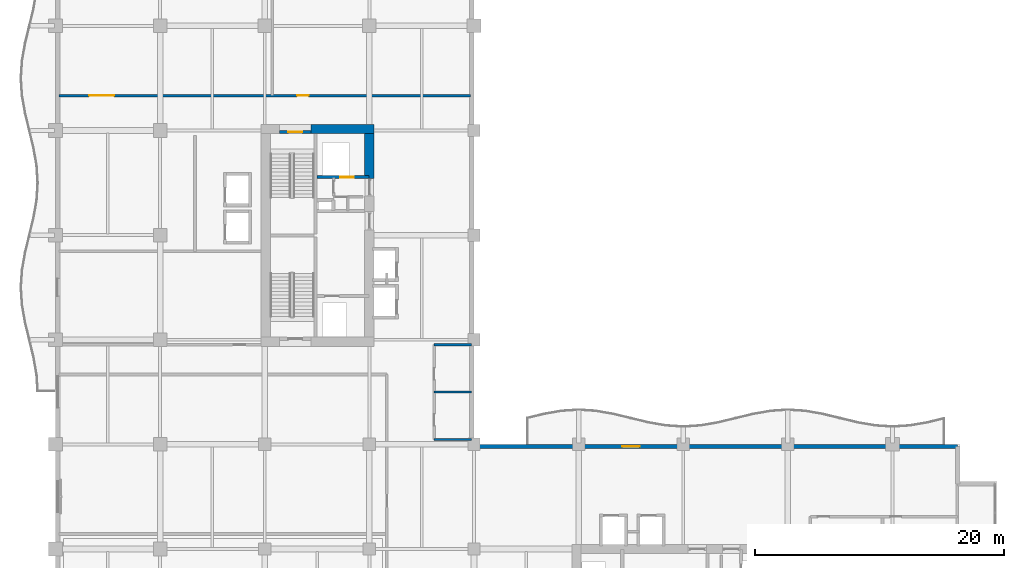
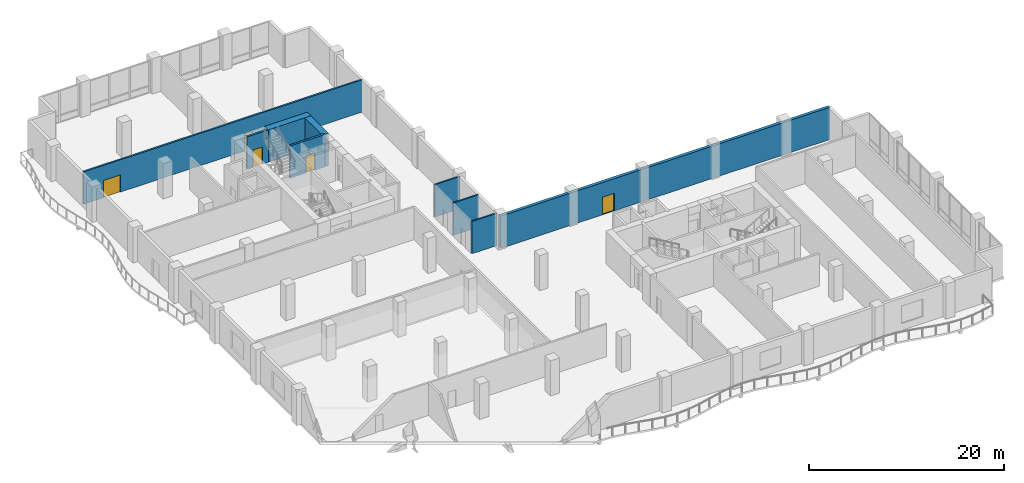
# One storey, part 17 of 25: 9 walls, 5 doors, 5 openings.
"""IFC4 building model written with IfcOpenShell, lengths in metres."""

from ifc_helpers import new_model, si_unit, direction, frame, frame_2d, origin, place, context, subcontext, project, spatial, rectangle, extrude, material, layer, layer_set, type_object, element, fill, save


model = new_model("IFC4")

# Units and contexts
model_context = context("Model", 3, precision=1e-05, world=origin(), true_north=direction((0.0, 1.0)))
body_context = subcontext(model_context, "Body", "Model", "MODEL_VIEW")
ifc_project = project(units=[si_unit("LENGTHUNIT", "METRE"), si_unit("AREAUNIT", "SQUARE_METRE"), si_unit("VOLUMEUNIT", "CUBIC_METRE"), si_unit("PLANEANGLEUNIT", "RADIAN"), si_unit("MASSUNIT", "GRAM", prefix="KILO")], contexts=[model_context])

# Site, building, storey
site_placement = place(None, origin())
site = spatial("IfcSite", under=ifc_project, at=site_placement, CompositionType="ELEMENT")
building_placement = place(site_placement, origin())
building = spatial("IfcBuilding", under=site, at=building_placement, Name="Koriwani Terraces Tower", CompositionType="ELEMENT")
storey_placement = place(building_placement, frame((0.0, 0.0, 157.60009765625)))
storey = spatial("IfcBuildingStorey", under=building, at=storey_placement, Name="L38", CompositionType="ELEMENT", Elevation=157.60009765625)

# Walls
ifc_material_1 = material(Name="Concrete C60/75", Category="concrete")
ifc_layer_1 = layer(ifc_material_1, 0.75, Name="Concrete C60/75")
ifc_layer_set_1 = layer_set([ifc_layer_1], Name="Concrete C60/75")
wall_type_1 = type_object("IfcWallType", Name="WALL_CORE_RC_750", PredefinedType="SHEAR", material=ifc_layer_set_1)
wall_1_placement = place(storey_placement, frame((20.5, 58.925048828125, 0.0), z_axis=(0.0, 0.0, 1.0), x_axis=(1.0, 0.0, 0.0)))
element("IfcWall", 1, at=wall_1_placement, inside=storey, type_object=wall_type_1, Name="L38 West Split Core Shear Wall N2", PredefinedType="SHEAR", context=body_context, shape_type="SweptSolid", body=[
    extrude(rectangle(XDim=5.074951171875, YDim=0.75, at=frame_2d((2.53759765625, 0.0))), origin(), (0.0, 0.0, 1.0), 4.0498046875),
])
wall_2_placement = place(storey_placement, frame((25.199951171875, 54.949951171875, 0.0), z_axis=(0.0, 0.0, 1.0), x_axis=(0.0, 1.0, 0.0)))
element("IfcWall", 2, at=wall_2_placement, inside=storey, type_object=wall_type_1, Name="L38 West Split Core Shear Wall E3", PredefinedType="SHEAR", context=body_context, shape_type="SweptSolid", body=[
    extrude(rectangle(XDim=3.60009765625, YDim=0.75, at=frame_2d((1.800048828125, 0.0))), origin(), (0.0, 0.0, 1.0), 4.0498046875),
])

# Wall, openings, doors
ifc_material_2 = material(Name="Autoclaved Cellular Concrete Blockwork", Category="masonry")
ifc_layer_2 = layer(ifc_material_2, 0.199951171875, Name="Autoclaved Cellular Concrete Blockwork")
ifc_layer_set_2 = layer_set([ifc_layer_2], Name="Autoclaved Cellular Concrete Blockwork")
wall_type_2 = type_object("IfcWallType", Name="WALL_CORRIDOR_200", PredefinedType="PARTITIONING", material=ifc_layer_set_2)
wall_3_placement = place(storey_placement, frame((0.300048828125, 61.60009765625, 0.0), z_axis=(0.0, 0.0, 1.0), x_axis=(1.0, 0.0, 0.0)))
wall_3 = element("IfcWall", 3, at=wall_3_placement, inside=storey, type_object=wall_type_2, Name="L38 Interior Wall WSKY-N1-L38", PredefinedType="PARTITIONING", context=body_context, shape_type="SweptSolid", body=[
    extrude(rectangle(XDim=33.0, YDim=0.199951171875, at=frame_2d((16.5, 0.0))), origin(), (0.0, 0.0, 1.0), 4.0498046875),
])
opening_1_placement = place(wall_3_placement, frame((2.39990234375, 0.0, 0.0)))
opening_1 = element("IfcOpeningElement", 4, at=opening_1_placement, cuts=wall_3, Name="Opening D-02", PredefinedType="OPENING", context=body_context, shape_type="SweptSolid", body=[
    extrude(rectangle(XDim=2.0, YDim=2.14990234375, at=frame_2d((1.0, 1.074951171875))), frame((0.0, 0.10986328125, 0.0), z_axis=(0.0, -1.0, 0.0), x_axis=(1.0, 0.0, 0.0)), (0.0, 0.0, 1.0), 0.219970703125),
])
opening_2_placement = place(wall_3_placement, frame((19.10009765625, 0.0, 0.0)))
opening_2 = element("IfcOpeningElement", 5, at=opening_2_placement, cuts=wall_3, Name="Opening D-06", PredefinedType="OPENING", context=body_context, shape_type="SweptSolid", body=[
    extrude(rectangle(XDim=0.919921875, YDim=2.10009765625, at=frame_2d((0.4599609375, 1.050048828125))), frame((0.0, 0.10986328125, 0.0), z_axis=(0.0, -1.0, 0.0), x_axis=(1.0, 0.0, 0.0)), (0.0, 0.0, 1.0), 0.219970703125),
])
ifc_material_3 = material(Name="Anodised Bronze Aluminium", Category="aluminium")
door_type_1 = type_object("IfcDoorType", Name="DOOR_ENTRANCE_DOUBLE_2000X2400", OperationType="NOTDEFINED", PredefinedType="DOOR", material=ifc_material_3)
door_1_placement = place(opening_1_placement, origin())
door_1 = element("IfcDoor", 6, at=door_1_placement, inside=storey, type_object=door_type_1, Name="L38 North Wellness Studio Door", OperationType="SINGLE_SWING_RIGHT", OverallHeight=2.14990234375, OverallWidth=2.0, PredefinedType="DOOR", context=body_context, shape_type="SweptSolid", body=[
    extrude(rectangle(XDim=2.0, YDim=2.14990234375, at=frame_2d((1.0, 1.074951171875))), frame((0.0, 0.02490234375, 0.0), z_axis=(0.0, -1.0, 0.0), x_axis=(1.0, 0.0, 0.0)), (0.0, 0.0, 1.0), 0.050048828125),
])
fill(opening_1, door_1)
ifc_material_4 = material(Name="Architectural Oak Fire Door", Category="wood")
door_type_2 = type_object("IfcDoorType", Name="DOOR_ROOM_INT_920X2100", OperationType="NOTDEFINED", PredefinedType="DOOR", material=ifc_material_4)
door_2_placement = place(opening_2_placement, origin())
door_2 = element("IfcDoor", 7, at=door_2_placement, inside=storey, type_object=door_type_2, Name="L38 North Observatory Salon Door", OperationType="SINGLE_SWING_LEFT", OverallHeight=2.10009765625, OverallWidth=0.919921875, PredefinedType="DOOR", context=body_context, shape_type="SweptSolid", body=[
    extrude(rectangle(XDim=0.919921875, YDim=2.10009765625, at=frame_2d((0.4599609375, 1.050048828125))), frame((0.0, 0.02490234375, 0.0), z_axis=(0.0, -1.0, 0.0), x_axis=(1.0, 0.0, 0.0)), (0.0, 0.0, 1.0), 0.050048828125),
])
fill(opening_2, door_2)

# Wall, opening, door
ifc_material_5 = material(Name="Concrete C50/60", Category="concrete")
ifc_layer_3 = layer(ifc_material_5, 0.35009765625, Name="Concrete C50/60")
ifc_layer_set_3 = layer_set([ifc_layer_3], Name="Concrete C50/60")
wall_type_3 = type_object("IfcWallType", Name="WALL_EXT_BRUTALIST_350", PredefinedType="STANDARD", material=ifc_layer_set_3)
wall_4_placement = place(storey_placement, frame((33.425048828125, 33.425048828125, 0.0), z_axis=(0.0, 0.0, 1.0), x_axis=(1.0, 0.0, 0.0)))
wall_4 = element("IfcWall", 8, at=wall_4_placement, inside=storey, type_object=wall_type_3, Name="L38 Fair-Faced Brutalist Exterior Wall (NE)", PredefinedType="STANDARD", context=body_context, shape_type="SweptSolid", body=[
    extrude(rectangle(XDim=39.0, YDim=0.35009765625, at=frame_2d((19.5, 0.0))), origin(), (0.0, 0.0, 1.0), 4.0498046875),
])
opening_3_placement = place(wall_4_placement, frame((12.074951171875, 0.0, 0.0)))
opening_3 = element("IfcOpeningElement", 9, at=opening_3_placement, cuts=wall_4, Name="Opening D-09", PredefinedType="OPENING", context=body_context, shape_type="SweptSolid", body=[
    extrude(rectangle(XDim=1.39990234375, YDim=2.199951171875, at=frame_2d((0.699951171875, 1.10009765625))), frame((0.0, 0.18505859375, 0.0), z_axis=(0.0, -1.0, 0.0), x_axis=(1.0, 0.0, 0.0)), (0.0, 0.0, 1.0), 0.3701171875),
])
door_type_3 = type_object("IfcDoorType", Name="DOOR_BALCONY_GLAZED_1400X2200", OperationType="NOTDEFINED", PredefinedType="DOOR", material=ifc_material_3)
door_3_placement = place(opening_3_placement, origin())
door_3 = element("IfcDoor", 10, at=door_3_placement, inside=storey, type_object=door_type_3, Name="L38 Inner Court Balcony Glazed Door", OperationType="SINGLE_SWING_LEFT", OverallHeight=2.199951171875, OverallWidth=1.39990234375, PredefinedType="DOOR", context=body_context, shape_type="SweptSolid", body=[
    extrude(rectangle(XDim=1.39990234375, YDim=2.199951171875, at=frame_2d((0.699951171875, 1.10009765625))), frame((0.0, 0.02490234375, 0.0), z_axis=(0.0, -1.0, 0.0), x_axis=(1.0, 0.0, 0.0)), (0.0, 0.0, 1.0), 0.050048828125),
])
fill(opening_3, door_3)

# Walls
ifc_material_6 = material(Name="Fire-Rated Acoustic Gypsum Partition", Category="masonry")
ifc_layer_4 = layer(ifc_material_6, 0.179931640625, Name="Fire-Rated Acoustic Gypsum Partition")
ifc_layer_set_4 = layer_set([ifc_layer_4], Name="Fire-Rated Acoustic Gypsum Partition")
wall_type_4 = type_object("IfcWallType", Name="WALL_PLUMBING_180", PredefinedType="PLUMBINGWALL", material=ifc_layer_set_4)
for number, where, z_axis, x_axis, name in (
    (11, (30.39990234375, 34.0, 0.0), (0.0, 0.0, 1.0), (1.0, 0.0, 0.0), "L38 Interior Wall WSKY-WCS-L38"),
    (12, (30.39990234375, 37.800048828125, 0.0), (0.0, 0.0, 1.0), (1.0, 0.0, 0.0), "L38 Interior Wall WSKY-WCM-L38"),
    (13, (30.39990234375, 41.60009765625, 0.0), (0.0, 0.0, 1.0), (1.0, 0.0, 0.0), "L38 Interior Wall WSKY-WCN-L38"),
):
    element("IfcWall", number, at=place(storey_placement, frame(where, z_axis=z_axis, x_axis=x_axis)), inside=storey, type_object=wall_type_4, Name=name, PredefinedType="PLUMBINGWALL", context=body_context, shape_type="SweptSolid", body=[
        extrude(rectangle(XDim=3.0, YDim=0.179931640625, at=frame_2d((1.5, 0.0))), origin(), (0.0, 0.0, 1.0), 4.0498046875),
    ])

# Wall, opening, door
ifc_material_7 = material(Name="Concrete C40/50", Category="concrete")
ifc_layer_5 = layer(ifc_material_7, 0.25, Name="Concrete C40/50")
ifc_layer_set_5 = layer_set([ifc_layer_5], Name="Concrete C40/50")
wall_type_5 = type_object("IfcWallType", Name="WALL_SHAFT_RATED_250", PredefinedType="SOLIDWALL", material=ifc_layer_set_5)
wall_5_placement = place(storey_placement, frame((18.0, 58.675048828125, 0.0), z_axis=(0.0, 0.0, 1.0), x_axis=(1.0, 0.0, 0.0)))
wall_5 = element("IfcWall", 14, at=wall_5_placement, inside=storey, type_object=wall_type_5, Name="L38 Interior Wall WIN-CW-L38-STN", PredefinedType="SOLIDWALL", context=body_context, shape_type="SweptSolid", body=[
    extrude(rectangle(XDim=2.5, YDim=0.25, at=frame_2d((1.25, 0.0))), origin(), (0.0, 0.0, 1.0), 4.0498046875),
])
opening_4_placement = place(wall_5_placement, frame((0.699951171875, 0.0, 0.0)))
opening_4 = element("IfcOpeningElement", 15, at=opening_4_placement, cuts=wall_5, Name="Opening D-03", PredefinedType="OPENING", context=body_context, shape_type="SweptSolid", body=[
    extrude(rectangle(XDim=1.10009765625, YDim=2.14990234375, at=frame_2d((0.550048828125, 1.074951171875))), frame((0.0, 0.135009765625, 0.0), z_axis=(0.0, -1.0, 0.0), x_axis=(1.0, 0.0, 0.0)), (0.0, 0.0, 1.0), 0.27001953125),
])
ifc_material_8 = material(Name="Steel ASTM A572 Grade 50", Category="steel")
door_type_4 = type_object("IfcDoorType", Name="DOOR_STAIR_FIRE_1100X2150", OperationType="NOTDEFINED", PredefinedType="DOOR", material=ifc_material_8)
door_4_placement = place(opening_4_placement, origin())
door_4 = element("IfcDoor", 16, at=door_4_placement, inside=storey, type_object=door_type_4, Name="L38 Exit Stair ST-W2 Door", OperationType="SINGLE_SWING_LEFT", OverallHeight=2.14990234375, OverallWidth=1.10009765625, PredefinedType="DOOR", context=body_context, shape_type="SweptSolid", body=[
    extrude(rectangle(XDim=1.10009765625, YDim=2.14990234375, at=frame_2d((0.550048828125, 1.074951171875))), frame((0.0, 0.02490234375, 0.0), z_axis=(0.0, -1.0, 0.0), x_axis=(1.0, 0.0, 0.0)), (0.0, 0.0, 1.0), 0.050048828125),
])
fill(opening_4, door_4)

wall_6_placement = place(storey_placement, frame((21.0, 55.050048828125, 0.0), z_axis=(0.0, 0.0, 1.0), x_axis=(1.0, 0.0, 0.0)))
wall_6 = element("IfcWall", 17, at=wall_6_placement, inside=storey, type_object=wall_type_5, Name="L38 Interior Wall WIN-CW-L38-SE", PredefinedType="SOLIDWALL", context=body_context, shape_type="SweptSolid", body=[
    extrude(rectangle(XDim=4.14990234375, YDim=0.25, at=frame_2d((2.074951171875, 0.0))), origin(), (0.0, 0.0, 1.0), 4.0498046875),
])
opening_5_placement = place(wall_6_placement, frame((1.85009765625, 0.0, 0.0)))
opening_5 = element("IfcOpeningElement", 18, at=opening_5_placement, cuts=wall_6, Name="Opening LD-01", PredefinedType="OPENING", context=body_context, shape_type="SweptSolid", body=[
    extrude(rectangle(XDim=1.10009765625, YDim=2.14990234375, at=frame_2d((0.550048828125, 1.074951171875))), frame((0.0, 0.135009765625, 0.0), z_axis=(0.0, -1.0, 0.0), x_axis=(1.0, 0.0, 0.0)), (0.0, 0.0, 1.0), 0.27001953125),
])
door_type_5 = type_object("IfcDoorType", Name="DOOR_LIFT_LANDING_1100X2200", OperationType="NOTDEFINED", PredefinedType="DOOR", material=ifc_material_8)
door_5_placement = place(opening_5_placement, origin())
door_5 = element("IfcDoor", 19, at=door_5_placement, inside=storey, type_object=door_type_5, Name="L38 Goods Lift SE-01 Landing Door", OperationType="SLIDING_TO_LEFT", OverallHeight=2.14990234375, OverallWidth=1.10009765625, PredefinedType="DOOR", context=body_context, shape_type="SweptSolid", body=[
    extrude(rectangle(XDim=1.10009765625, YDim=2.14990234375, at=frame_2d((0.550048828125, 1.074951171875))), frame((0.0, 0.02490234375, 0.0), z_axis=(0.0, -1.0, 0.0), x_axis=(1.0, 0.0, 0.0)), (0.0, 0.0, 1.0), 0.050048828125),
])
fill(opening_5, door_5)

save(model, "model.ifc")
